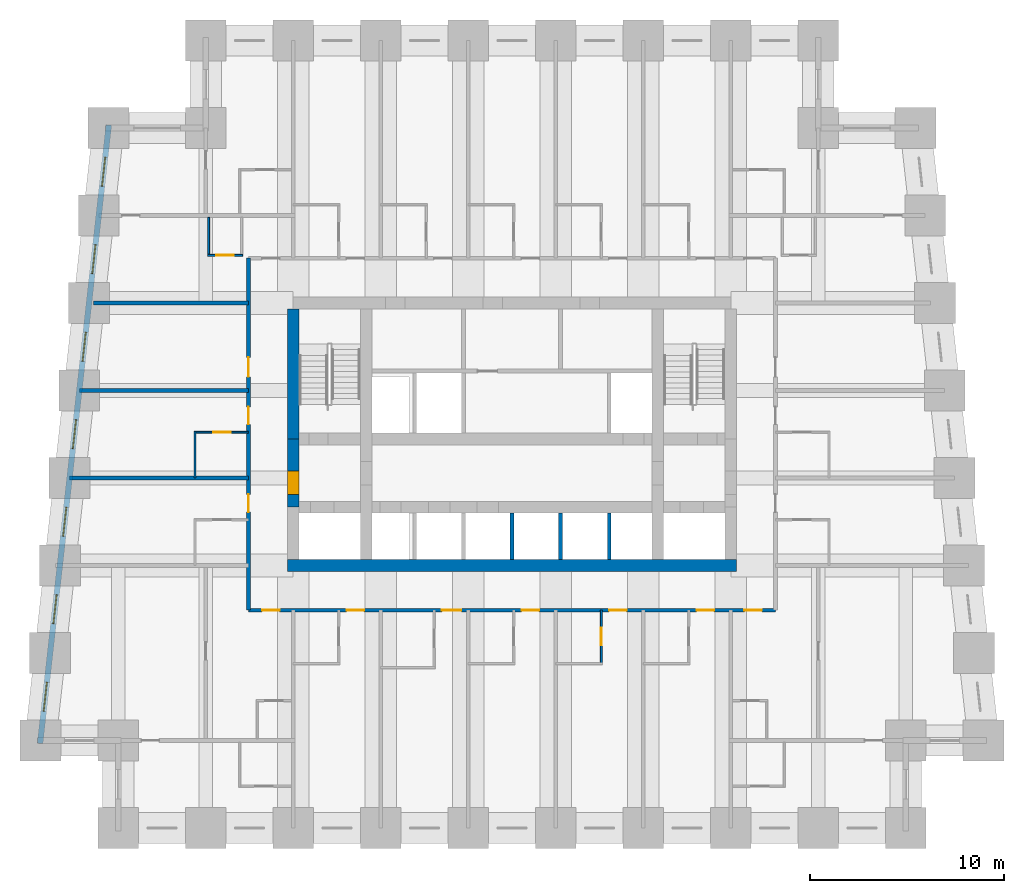
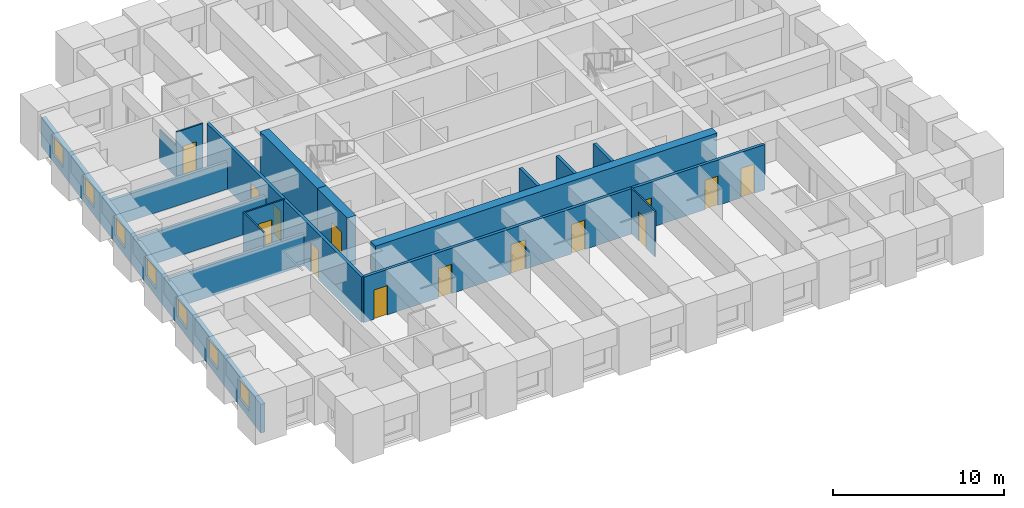
# One storey, part 3 of 8: 17 walls, 14 doors, 7 windows, 21 openings.
"""IFC4 building model written with IfcOpenShell, lengths in metres."""

from ifc_helpers import new_model, si_unit, direction, frame, frame_2d, origin, place, context, subcontext, project, spatial, rectangle, extrude, material, layer, layer_set, type_object, element, fill, save


model = new_model("IFC4")

# Units and contexts
model_context = context("Model", 3, precision=1e-05, world=origin(), true_north=direction((0.0, 1.0)))
body_context = subcontext(model_context, "Body", "Model", "MODEL_VIEW")
ifc_project = project(units=[si_unit("LENGTHUNIT", "METRE"), si_unit("AREAUNIT", "SQUARE_METRE"), si_unit("VOLUMEUNIT", "CUBIC_METRE"), si_unit("PLANEANGLEUNIT", "RADIAN"), si_unit("MASSUNIT", "GRAM", prefix="KILO")], contexts=[model_context])

# Site, building, storey
site_placement = place(None, origin())
site = spatial("IfcSite", under=ifc_project, at=site_placement, CompositionType="ELEMENT")
building_placement = place(site_placement, origin())
building = spatial("IfcBuilding", under=site, at=building_placement, Name="Kilele Tower Hotel", CompositionType="ELEMENT")
storey_placement = place(building_placement, frame((0.0, 0.0, 33.199951171875)))
storey = spatial("IfcBuildingStorey", under=building, at=storey_placement, Name="L06", CompositionType="ELEMENT", Elevation=33.199951171875)

# Wall, opening, door
ifc_material_1 = material(Name="Moisture-resistant board")
ifc_layer_1 = layer(ifc_material_1, 0.10009765625)
ifc_layer_set_1 = layer_set([ifc_layer_1], Name="Moisture-resistant board")
wall_type_1 = type_object("IfcWallType", Name="Bathroom partition 100", PredefinedType="PLUMBINGWALL", material=ifc_layer_set_1)
wall_1_placement = place(storey_placement, frame((29.35009765625, 11.199951171875, 0.0), z_axis=(0.0, 0.0, 1.0), x_axis=(0.0, -1.0, 0.0)))
wall_1 = element("IfcWall", 1, at=wall_1_placement, inside=storey, type_object=wall_type_1, Name="Bathroom partition 100 L06", PredefinedType="PLUMBINGWALL", context=body_context, shape_type="SweptSolid", body=[
    extrude(rectangle(XDim=2.800048828125, YDim=0.10009765625, at=frame_2d((1.39990234375, 0.0))), origin(), (0.0, 0.0, 1.0), 3.25),
])
opening_1_placement = place(wall_1_placement, frame((0.89990234375, 0.0, 0.0)))
opening_1 = element("IfcOpeningElement", 2, at=opening_1_placement, cuts=wall_1, Name="Opening D2A", PredefinedType="OPENING", context=body_context, shape_type="SweptSolid", body=[
    extrude(rectangle(XDim=0.89990234375, YDim=2.10009765625, at=frame_2d((0.449951171875, 1.050048828125))), frame((0.0, 0.06005859375, 0.0), z_axis=(0.0, -1.0, 0.0), x_axis=(1.0, 0.0, 0.0)), (0.0, 0.0, 1.0), 0.1201171875),
])
ifc_material_2 = material(Name="Timber door leaf in hardwood frame", Category="wood")
door_type_1 = type_object("IfcDoorType", Name="Bathroom door 900", OperationType="SINGLE_SWING_LEFT", PredefinedType="DOOR", material=ifc_material_2)
door_1_placement = place(opening_1_placement, origin())
door_1 = element("IfcDoor", 3, at=door_1_placement, inside=storey, type_object=door_type_1, Name="Bathroom door 0604B", OperationType="SINGLE_SWING_LEFT", OverallHeight=2.10009765625, OverallWidth=0.89990234375, PredefinedType="DOOR", context=body_context, shape_type="SweptSolid", body=[
    extrude(rectangle(XDim=0.89990234375, YDim=2.10009765625, at=frame_2d((0.449951171875, 1.050048828125))), frame((0.0, 0.02490234375, 0.0), z_axis=(0.0, -1.0, 0.0), x_axis=(1.0, 0.0, 0.0)), (0.0, 0.0, 1.0), 0.050048828125),
])
fill(opening_1, door_1)

# Wall
wall_2_placement = place(storey_placement, frame((8.449951171875, 18.0, 0.0), z_axis=(0.0, 0.0, 1.0), x_axis=(0.0, 1.0, 0.0)))
element("IfcWall", 4, at=wall_2_placement, inside=storey, type_object=wall_type_1, Name="Bathroom partition 100 L06", PredefinedType="PLUMBINGWALL", context=body_context, shape_type="SweptSolid", body=[
    extrude(rectangle(XDim=2.39990234375, YDim=0.10009765625, at=frame_2d((1.199951171875, 0.0))), origin(), (0.0, 0.0, 1.0), 3.25),
])

# Wall, opening, door
wall_3_placement = place(storey_placement, frame((11.199951171875, 20.35009765625, 0.0), z_axis=(0.0, 0.0, 1.0), x_axis=(-1.0, 0.0, 0.0)))
wall_3 = element("IfcWall", 5, at=wall_3_placement, inside=storey, type_object=wall_type_1, Name="Bathroom partition 100 L06", PredefinedType="PLUMBINGWALL", context=body_context, shape_type="SweptSolid", body=[
    extrude(rectangle(XDim=2.800048828125, YDim=0.10009765625, at=frame_2d((1.39990234375, 0.0))), origin(), (0.0, 0.0, 1.0), 3.25),
])
opening_2_placement = place(wall_3_placement, frame((1.7998046875, 0.0, 0.0), z_axis=(0.0, 0.0, 1.0), x_axis=(-1.0, 0.0, 0.0)))
opening_2 = element("IfcOpeningElement", 6, at=opening_2_placement, cuts=wall_3, Name="Opening D2A", PredefinedType="OPENING", context=body_context, shape_type="SweptSolid", body=[
    extrude(rectangle(XDim=0.89990234375, YDim=2.10009765625, at=frame_2d((0.449951171875, 1.050048828125))), frame((0.0, 0.06005859375, 0.0), z_axis=(0.0, -1.0, 0.0), x_axis=(1.0, 0.0, 0.0)), (0.0, 0.0, 1.0), 0.1201171875),
])
door_2_placement = place(opening_2_placement, origin())
door_2 = element("IfcDoor", 7, at=door_2_placement, inside=storey, type_object=door_type_1, Name="Bathroom door 0615B", OperationType="SINGLE_SWING_RIGHT", OverallHeight=2.10009765625, OverallWidth=0.89990234375, PredefinedType="DOOR", context=body_context, shape_type="SweptSolid", body=[
    extrude(rectangle(XDim=0.89990234375, YDim=2.10009765625, at=frame_2d((0.449951171875, 1.050048828125))), frame((0.0, 0.02490234375, 0.0), z_axis=(0.0, -1.0, 0.0), x_axis=(1.0, 0.0, 0.0)), (0.0, 0.0, 1.0), 0.050048828125),
])
fill(opening_2, door_2)

# Wall
wall_4_placement = place(storey_placement, frame((9.14990234375, 31.39990234375, 0.0), z_axis=(0.0, 0.0, 1.0), x_axis=(0.0, -1.0, 0.0)))
element("IfcWall", 8, at=wall_4_placement, inside=storey, type_object=wall_type_1, Name="Bathroom partition 100 L06", PredefinedType="PLUMBINGWALL", context=body_context, shape_type="SweptSolid", body=[
    extrude(rectangle(XDim=2.0, YDim=0.10009765625, at=frame_2d((1.0, 0.0))), origin(), (0.0, 0.0, 1.0), 2.25),
])

# Wall, opening, door
wall_5_placement = place(storey_placement, frame((10.89990234375, 29.449951171875, 0.0), z_axis=(0.0, 0.0, 1.0), x_axis=(-1.0, 0.0, 0.0)))
wall_5 = element("IfcWall", 9, at=wall_5_placement, inside=storey, type_object=wall_type_1, Name="Bathroom partition 100 L06", PredefinedType="PLUMBINGWALL", context=body_context, shape_type="SweptSolid", body=[
    extrude(rectangle(XDim=1.7998046875, YDim=0.10009765625, at=frame_2d((0.89990234375, 0.0))), origin(), (0.0, 0.0, 1.0), 3.25),
])
opening_3_placement = place(wall_5_placement, frame((0.449951171875, 0.0, 0.0)))
opening_3 = element("IfcOpeningElement", 10, at=opening_3_placement, cuts=wall_5, Name="Opening D2A", PredefinedType="OPENING", context=body_context, shape_type="SweptSolid", body=[
    extrude(rectangle(XDim=0.89990234375, YDim=2.10009765625, at=frame_2d((0.449951171875, 1.050048828125))), frame((0.0, 0.06005859375, 0.0), z_axis=(0.0, -1.0, 0.0), x_axis=(1.0, 0.0, 0.0)), (0.0, 0.0, 1.0), 0.1201171875),
])
door_3_placement = place(opening_3_placement, origin())
door_3 = element("IfcDoor", 11, at=door_3_placement, inside=storey, type_object=door_type_1, Name="Bathroom door 0626P", OperationType="SINGLE_SWING_LEFT", OverallHeight=2.10009765625, OverallWidth=0.89990234375, PredefinedType="DOOR", context=body_context, shape_type="SweptSolid", body=[
    extrude(rectangle(XDim=0.89990234375, YDim=2.10009765625, at=frame_2d((0.449951171875, 1.050048828125))), frame((0.0, 0.02490234375, 0.0), z_axis=(0.0, -1.0, 0.0), x_axis=(1.0, 0.0, 0.0)), (0.0, 0.0, 1.0), 0.050048828125),
])
fill(opening_3, door_3)

# Walls
ifc_material_3 = material(Name="Concrete C60/75", Category="concrete")
ifc_layer_2 = layer(ifc_material_3, 0.60009765625)
ifc_layer_set_2 = layer_set([ifc_layer_2], Name="Concrete C60/75")
wall_type_2 = type_object("IfcWallType", Name="Core wall 600 C60/75", PredefinedType="SHEAR", material=ifc_layer_set_2)
wall_6_placement = place(storey_placement, frame((13.199951171875, 13.5, 0.0), z_axis=(0.0, 0.0, 1.0), x_axis=(1.0, 0.0, 0.0)))
element("IfcWall", 12, at=wall_6_placement, inside=storey, type_object=wall_type_2, Name="Core wall S L06", PredefinedType="SHEAR", context=body_context, shape_type="SweptSolid", body=[
    extrude(rectangle(XDim=23.10009765625, YDim=0.60009765625, at=frame_2d((11.550048828125, 0.0))), origin(), (0.0, 0.0, 1.0), 3.5),
])
wall_7_placement = place(storey_placement, frame((13.5, 26.699951171875, 0.0), z_axis=(0.0, 0.0, 1.0), x_axis=(0.0, -1.0, 0.0)))
element("IfcWall", 13, at=wall_7_placement, inside=storey, type_object=wall_type_2, Name="Core wall W1 L06", PredefinedType="SHEAR", context=body_context, shape_type="SweptSolid", body=[
    extrude(rectangle(XDim=6.699951171875, YDim=0.60009765625, at=frame_2d((3.35009765625, 0.0))), origin(), (0.0, 0.0, 1.0), 3.5),
])

# Wall, opening, door
wall_8_placement = place(storey_placement, frame((13.5, 20.0, 0.0), z_axis=(0.0, 0.0, 1.0), x_axis=(0.0, -1.0, 0.0)))
wall_8 = element("IfcWall", 14, at=wall_8_placement, inside=storey, type_object=wall_type_2, Name="Core wall W2 L06", PredefinedType="SHEAR", context=body_context, shape_type="SweptSolid", body=[
    extrude(rectangle(XDim=3.5, YDim=0.60009765625, at=frame_2d((1.75, 0.0))), origin(), (0.0, 0.0, 1.0), 3.5),
])
opening_4_placement = place(wall_8_placement, frame((1.64990234375, 0.0, 0.0)))
opening_4 = element("IfcOpeningElement", 15, at=opening_4_placement, cuts=wall_8, Name="Opening D4", PredefinedType="OPENING", context=body_context, shape_type="SweptSolid", body=[
    extrude(rectangle(XDim=1.199951171875, YDim=2.10009765625, at=frame_2d((0.60009765625, 1.050048828125))), frame((0.0, 0.31005859375, 0.0), z_axis=(0.0, -1.0, 0.0), x_axis=(1.0, 0.0, 0.0)), (0.0, 0.0, 1.0), 0.6201171875),
])
ifc_material_4 = material(Name="Timber door leaf in hardwood frame", Category="wood")
door_type_2 = type_object("IfcDoorType", Name="Firefighting lobby door 1200", OperationType="SINGLE_SWING_LEFT", PredefinedType="DOOR", material=ifc_material_4)
door_4_placement = place(opening_4_placement, origin())
door_4 = element("IfcDoor", 16, at=door_4_placement, inside=storey, type_object=door_type_2, Name="Lobby door L06", OperationType="SINGLE_SWING_RIGHT", OverallHeight=2.10009765625, OverallWidth=1.199951171875, PredefinedType="DOOR", context=body_context, shape_type="SweptSolid", body=[
    extrude(rectangle(XDim=1.199951171875, YDim=2.10009765625, at=frame_2d((0.60009765625, 1.050048828125))), frame((0.0, 0.2998046875, 0.0), z_axis=(0.0, -1.0, 0.0), x_axis=(1.0, 0.0, 0.0)), (0.0, 0.0, 1.0), 0.599609375),
])
fill(opening_4, door_4)

# Wall, openings, doors
ifc_material_5 = material(Name="Blockwork, plastered both sides", Category="masonry")
ifc_layer_3 = layer(ifc_material_5, 0.199951171875)
ifc_layer_set_3 = layer_set([ifc_layer_3], Name="Blockwork, plastered both sides")
wall_type_3 = type_object("IfcWallType", Name="Corridor wall 200", PredefinedType="PARTITIONING", material=ifc_layer_set_3)
wall_9_placement = place(storey_placement, frame((11.199951171875, 11.199951171875, 0.0), z_axis=(0.0, 0.0, 1.0), x_axis=(1.0, 0.0, 0.0)))
wall_9 = element("IfcWall", 17, at=wall_9_placement, inside=storey, type_object=wall_type_3, Name="Corridor wall 200 L06", PredefinedType="PARTITIONING", context=body_context, shape_type="SweptSolid", body=[
    extrude(rectangle(XDim=27.10009765625, YDim=0.199951171875, at=frame_2d((13.550048828125, 0.0))), origin(), (0.0, 0.0, 1.0), 3.25),
])
opening_5_placement = place(wall_9_placement, frame((5.949951171875, 0.0, 0.0), z_axis=(0.0, 0.0, 1.0), x_axis=(-1.0, 0.0, 0.0)))
opening_5 = element("IfcOpeningElement", 18, at=opening_5_placement, cuts=wall_9, Name="Opening D1", PredefinedType="OPENING", context=body_context, shape_type="SweptSolid", body=[
    extrude(rectangle(XDim=0.89990234375, YDim=2.10009765625, at=frame_2d((0.449951171875, 1.050048828125))), frame((0.0, 0.10986328125, 0.0), z_axis=(0.0, -1.0, 0.0), x_axis=(1.0, 0.0, 0.0)), (0.0, 0.0, 1.0), 0.219970703125),
])
opening_6_placement = place(wall_9_placement, frame((10.949951171875, 0.0, 0.0), z_axis=(0.0, 0.0, 1.0), x_axis=(-1.0, 0.0, 0.0)))
opening_6 = element("IfcOpeningElement", 19, at=opening_6_placement, cuts=wall_9, Name="Opening D1A", PredefinedType="OPENING", context=body_context, shape_type="SweptSolid", body=[
    extrude(rectangle(XDim=1.0, YDim=2.10009765625, at=frame_2d((0.5, 1.050048828125))), frame((0.0, 0.10986328125, 0.0), z_axis=(0.0, -1.0, 0.0), x_axis=(1.0, 0.0, 0.0)), (0.0, 0.0, 1.0), 0.219970703125),
])
opening_7_placement = place(wall_9_placement, frame((14.949951171875, 0.0, 0.0), z_axis=(0.0, 0.0, 1.0), x_axis=(-1.0, 0.0, 0.0)))
opening_7 = element("IfcOpeningElement", 20, at=opening_7_placement, cuts=wall_9, Name="Opening D1", PredefinedType="OPENING", context=body_context, shape_type="SweptSolid", body=[
    extrude(rectangle(XDim=0.89990234375, YDim=2.10009765625, at=frame_2d((0.449951171875, 1.050048828125))), frame((0.0, 0.10986328125, 0.0), z_axis=(0.0, -1.0, 0.0), x_axis=(1.0, 0.0, 0.0)), (0.0, 0.0, 1.0), 0.219970703125),
])
opening_8_placement = place(wall_9_placement, frame((19.449951171875, 0.0, 0.0), z_axis=(0.0, 0.0, 1.0), x_axis=(-1.0, 0.0, 0.0)))
opening_8 = element("IfcOpeningElement", 21, at=opening_8_placement, cuts=wall_9, Name="Opening D1", PredefinedType="OPENING", context=body_context, shape_type="SweptSolid", body=[
    extrude(rectangle(XDim=0.89990234375, YDim=2.10009765625, at=frame_2d((0.449951171875, 1.050048828125))), frame((0.0, 0.10986328125, 0.0), z_axis=(0.0, -1.0, 0.0), x_axis=(1.0, 0.0, 0.0)), (0.0, 0.0, 1.0), 0.219970703125),
])
opening_9_placement = place(wall_9_placement, frame((23.949951171875, 0.0, 0.0), z_axis=(0.0, 0.0, 1.0), x_axis=(-1.0, 0.0, 0.0)))
opening_9 = element("IfcOpeningElement", 22, at=opening_9_placement, cuts=wall_9, Name="Opening D1", PredefinedType="OPENING", context=body_context, shape_type="SweptSolid", body=[
    extrude(rectangle(XDim=0.89990234375, YDim=2.10009765625, at=frame_2d((0.449951171875, 1.050048828125))), frame((0.0, 0.10986328125, 0.0), z_axis=(0.0, -1.0, 0.0), x_axis=(1.0, 0.0, 0.0)), (0.0, 0.0, 1.0), 0.219970703125),
])
opening_10_placement = place(wall_9_placement, frame((1.599853515625, 0.0, 0.0), z_axis=(0.0, 0.0, 1.0), x_axis=(-1.0, 0.0, 0.0)))
opening_10 = element("IfcOpeningElement", 23, at=opening_10_placement, cuts=wall_9, Name="Opening D1", PredefinedType="OPENING", context=body_context, shape_type="SweptSolid", body=[
    extrude(rectangle(XDim=0.89990234375, YDim=2.10009765625, at=frame_2d((0.449951171875, 1.050048828125))), frame((0.0, 0.10986328125, 0.0), z_axis=(0.0, -1.0, 0.0), x_axis=(1.0, 0.0, 0.0)), (0.0, 0.0, 1.0), 0.219970703125),
])
opening_11_placement = place(wall_9_placement, frame((26.39990234375, 0.0, 0.0), z_axis=(0.0, 0.0, 1.0), x_axis=(-1.0, 0.0, 0.0)))
opening_11 = element("IfcOpeningElement", 24, at=opening_11_placement, cuts=wall_9, Name="Opening D1", PredefinedType="OPENING", context=body_context, shape_type="SweptSolid", body=[
    extrude(rectangle(XDim=0.89990234375, YDim=2.10009765625, at=frame_2d((0.449951171875, 1.050048828125))), frame((0.0, 0.10986328125, 0.0), z_axis=(0.0, -1.0, 0.0), x_axis=(1.0, 0.0, 0.0)), (0.0, 0.0, 1.0), 0.219970703125),
])
ifc_material_6 = material(Name="Timber door leaf in hardwood frame", Category="wood")
door_type_3 = type_object("IfcDoorType", Name="Guest room entrance door 1000", OperationType="SINGLE_SWING_LEFT", PredefinedType="DOOR", material=ifc_material_6)
door_5_placement = place(opening_6_placement, origin())
door_5 = element("IfcDoor", 25, at=door_5_placement, inside=storey, type_object=door_type_3, Name="Room entrance 0602", OperationType="SINGLE_SWING_RIGHT", OverallHeight=2.10009765625, OverallWidth=1.0, PredefinedType="DOOR", context=body_context, shape_type="SweptSolid", body=[
    extrude(rectangle(XDim=1.0, YDim=2.10009765625, at=frame_2d((0.5, 1.050048828125))), frame((0.0, 0.02490234375, 0.0), z_axis=(0.0, -1.0, 0.0), x_axis=(1.0, 0.0, 0.0)), (0.0, 0.0, 1.0), 0.050048828125),
])
fill(opening_6, door_5)
ifc_material_7 = material(Name="Timber door leaf in hardwood frame", Category="wood")
door_type_4 = type_object("IfcDoorType", Name="Guest room entrance door 900", OperationType="SINGLE_SWING_LEFT", PredefinedType="DOOR", material=ifc_material_7)
door_6_placement = place(opening_5_placement, origin())
door_6 = element("IfcDoor", 26, at=door_6_placement, inside=storey, type_object=door_type_4, Name="Room entrance 0601", OperationType="SINGLE_SWING_RIGHT", OverallHeight=2.10009765625, OverallWidth=0.89990234375, PredefinedType="DOOR", context=body_context, shape_type="SweptSolid", body=[
    extrude(rectangle(XDim=0.89990234375, YDim=2.10009765625, at=frame_2d((0.449951171875, 1.050048828125))), frame((0.0, 0.02490234375, 0.0), z_axis=(0.0, -1.0, 0.0), x_axis=(1.0, 0.0, 0.0)), (0.0, 0.0, 1.0), 0.050048828125),
])
fill(opening_5, door_6)
door_7_placement = place(opening_7_placement, origin())
door_7 = element("IfcDoor", 27, at=door_7_placement, inside=storey, type_object=door_type_4, Name="Room entrance 0603", OperationType="SINGLE_SWING_RIGHT", OverallHeight=2.10009765625, OverallWidth=0.89990234375, PredefinedType="DOOR", context=body_context, shape_type="SweptSolid", body=[
    extrude(rectangle(XDim=0.89990234375, YDim=2.10009765625, at=frame_2d((0.449951171875, 1.050048828125))), frame((0.0, 0.02490234375, 0.0), z_axis=(0.0, -1.0, 0.0), x_axis=(1.0, 0.0, 0.0)), (0.0, 0.0, 1.0), 0.050048828125),
])
fill(opening_7, door_7)
door_8_placement = place(opening_8_placement, origin())
door_8 = element("IfcDoor", 28, at=door_8_placement, inside=storey, type_object=door_type_4, Name="Room entrance 0604", OperationType="SINGLE_SWING_RIGHT", OverallHeight=2.10009765625, OverallWidth=0.89990234375, PredefinedType="DOOR", context=body_context, shape_type="SweptSolid", body=[
    extrude(rectangle(XDim=0.89990234375, YDim=2.10009765625, at=frame_2d((0.449951171875, 1.050048828125))), frame((0.0, 0.02490234375, 0.0), z_axis=(0.0, -1.0, 0.0), x_axis=(1.0, 0.0, 0.0)), (0.0, 0.0, 1.0), 0.050048828125),
])
fill(opening_8, door_8)
door_9_placement = place(opening_9_placement, origin())
door_9 = element("IfcDoor", 29, at=door_9_placement, inside=storey, type_object=door_type_4, Name="Room entrance 0605", OperationType="SINGLE_SWING_RIGHT", OverallHeight=2.10009765625, OverallWidth=0.89990234375, PredefinedType="DOOR", context=body_context, shape_type="SweptSolid", body=[
    extrude(rectangle(XDim=0.89990234375, YDim=2.10009765625, at=frame_2d((0.449951171875, 1.050048828125))), frame((0.0, 0.02490234375, 0.0), z_axis=(0.0, -1.0, 0.0), x_axis=(1.0, 0.0, 0.0)), (0.0, 0.0, 1.0), 0.050048828125),
])
fill(opening_9, door_9)
door_10_placement = place(opening_10_placement, origin())
door_10 = element("IfcDoor", 30, at=door_10_placement, inside=storey, type_object=door_type_4, Name="Room entrance 0617", OperationType="SINGLE_SWING_LEFT", OverallHeight=2.10009765625, OverallWidth=0.89990234375, PredefinedType="DOOR", context=body_context, shape_type="SweptSolid", body=[
    extrude(rectangle(XDim=0.89990234375, YDim=2.10009765625, at=frame_2d((0.449951171875, 1.050048828125))), frame((0.0, 0.02490234375, 0.0), z_axis=(0.0, -1.0, 0.0), x_axis=(1.0, 0.0, 0.0)), (0.0, 0.0, 1.0), 0.050048828125),
])
fill(opening_10, door_10)
door_11_placement = place(opening_11_placement, origin())
door_11 = element("IfcDoor", 31, at=door_11_placement, inside=storey, type_object=door_type_4, Name="Room entrance 0620", OperationType="SINGLE_SWING_RIGHT", OverallHeight=2.10009765625, OverallWidth=0.89990234375, PredefinedType="DOOR", context=body_context, shape_type="SweptSolid", body=[
    extrude(rectangle(XDim=0.89990234375, YDim=2.10009765625, at=frame_2d((0.449951171875, 1.050048828125))), frame((0.0, 0.02490234375, 0.0), z_axis=(0.0, -1.0, 0.0), x_axis=(1.0, 0.0, 0.0)), (0.0, 0.0, 1.0), 0.050048828125),
])
fill(opening_11, door_11)

wall_10_placement = place(storey_placement, frame((11.199951171875, 11.199951171875, 0.0), z_axis=(0.0, 0.0, 1.0), x_axis=(0.0, 1.0, 0.0)))
wall_10 = element("IfcWall", 32, at=wall_10_placement, inside=storey, type_object=wall_type_3, Name="Corridor wall 200 L06", PredefinedType="PARTITIONING", context=body_context, shape_type="SweptSolid", body=[
    extrude(rectangle(XDim=18.10009765625, YDim=0.199951171875, at=frame_2d((9.050048828125, 0.0))), origin(), (0.0, 0.0, 1.0), 3.25),
])
opening_12_placement = place(wall_10_placement, frame((5.050048828125, 0.0, 0.0)))
opening_12 = element("IfcOpeningElement", 33, at=opening_12_placement, cuts=wall_10, Name="Opening D1", PredefinedType="OPENING", context=body_context, shape_type="SweptSolid", body=[
    extrude(rectangle(XDim=0.89990234375, YDim=2.10009765625, at=frame_2d((0.449951171875, 1.050048828125))), frame((0.0, 0.10986328125, 0.0), z_axis=(0.0, -1.0, 0.0), x_axis=(1.0, 0.0, 0.0)), (0.0, 0.0, 1.0), 0.219970703125),
])
opening_13_placement = place(wall_10_placement, frame((9.550048828125, 0.0, 0.0)))
opening_13 = element("IfcOpeningElement", 34, at=opening_13_placement, cuts=wall_10, Name="Opening D1", PredefinedType="OPENING", context=body_context, shape_type="SweptSolid", body=[
    extrude(rectangle(XDim=0.89990234375, YDim=2.10009765625, at=frame_2d((0.449951171875, 1.050048828125))), frame((0.0, 0.10986328125, 0.0), z_axis=(0.0, -1.0, 0.0), x_axis=(1.0, 0.0, 0.0)), (0.0, 0.0, 1.0), 0.219970703125),
])
opening_14_placement = place(wall_10_placement, frame((12.0, 0.0, 0.0)))
opening_14 = element("IfcOpeningElement", 35, at=opening_14_placement, cuts=wall_10, Name="Opening D8", PredefinedType="OPENING", context=body_context, shape_type="SweptSolid", body=[
    extrude(rectangle(XDim=1.0, YDim=2.10009765625, at=frame_2d((0.5, 1.050048828125))), frame((0.0, 0.10986328125, 0.0), z_axis=(0.0, -1.0, 0.0), x_axis=(1.0, 0.0, 0.0)), (0.0, 0.0, 1.0), 0.219970703125),
])
ifc_material_8 = material(Name="Timber door leaf in hardwood frame", Category="wood")
door_type_5 = type_object("IfcDoorType", Name="Door 1000", OperationType="SINGLE_SWING_LEFT", PredefinedType="DOOR", material=ifc_material_8)
door_12_placement = place(opening_14_placement, origin())
door_12 = element("IfcDoor", 36, at=door_12_placement, inside=storey, type_object=door_type_5, Name="Room entrance 0616", OperationType="SINGLE_SWING_LEFT", OverallHeight=2.10009765625, OverallWidth=1.0, PredefinedType="DOOR", context=body_context, shape_type="SweptSolid", body=[
    extrude(rectangle(XDim=1.0, YDim=2.10009765625, at=frame_2d((0.5, 1.050048828125))), frame((0.0, 0.02490234375, 0.0), z_axis=(0.0, -1.0, 0.0), x_axis=(1.0, 0.0, 0.0)), (0.0, 0.0, 1.0), 0.050048828125),
])
fill(opening_14, door_12)
door_13_placement = place(opening_12_placement, origin())
door_13 = element("IfcDoor", 37, at=door_13_placement, inside=storey, type_object=door_type_4, Name="Room entrance 0614", OperationType="SINGLE_SWING_LEFT", OverallHeight=2.10009765625, OverallWidth=0.89990234375, PredefinedType="DOOR", context=body_context, shape_type="SweptSolid", body=[
    extrude(rectangle(XDim=0.89990234375, YDim=2.10009765625, at=frame_2d((0.449951171875, 1.050048828125))), frame((0.0, 0.02490234375, 0.0), z_axis=(0.0, -1.0, 0.0), x_axis=(1.0, 0.0, 0.0)), (0.0, 0.0, 1.0), 0.050048828125),
])
fill(opening_12, door_13)
door_14_placement = place(opening_13_placement, origin())
door_14 = element("IfcDoor", 38, at=door_14_placement, inside=storey, type_object=door_type_4, Name="Room entrance 0615", OperationType="SINGLE_SWING_LEFT", OverallHeight=2.10009765625, OverallWidth=0.89990234375, PredefinedType="DOOR", context=body_context, shape_type="SweptSolid", body=[
    extrude(rectangle(XDim=0.89990234375, YDim=2.10009765625, at=frame_2d((0.449951171875, 1.050048828125))), frame((0.0, 0.02490234375, 0.0), z_axis=(0.0, -1.0, 0.0), x_axis=(1.0, 0.0, 0.0)), (0.0, 0.0, 1.0), 0.050048828125),
])
fill(opening_13, door_14)

# Walls
ifc_material_9 = material(Name="Blockwork, plastered both sides", Category="masonry")
ifc_layer_4 = layer(ifc_material_9, 0.199951171875)
ifc_layer_set_4 = layer_set([ifc_layer_4], Name="Blockwork, plastered both sides")
wall_type_4 = type_object("IfcWallType", Name="Party wall 200", PredefinedType="PARTITIONING", material=ifc_layer_set_4)
wall_11_placement = place(storey_placement, frame((11.199951171875, 18.0, 0.0), z_axis=(0.0, 0.0, 1.0), x_axis=(-1.0, 0.0, 0.0)))
element("IfcWall", 39, at=wall_11_placement, inside=storey, type_object=wall_type_4, Name="Party wall 200 L06", PredefinedType="PARTITIONING", context=body_context, shape_type="SweptSolid", body=[
    extrude(rectangle(XDim=9.198974609375, YDim=0.199951171875, at=frame_2d((4.599609375, 0.0))), origin(), (0.0, 0.0, 1.0), 2.25),
])
wall_12_placement = place(storey_placement, frame((11.199951171875, 22.5, 0.0), z_axis=(0.0, 0.0, 1.0), x_axis=(-1.0, 0.0, 0.0)))
element("IfcWall", 40, at=wall_12_placement, inside=storey, type_object=wall_type_4, Name="Party wall 200 L06", PredefinedType="PARTITIONING", context=body_context, shape_type="SweptSolid", body=[
    extrude(rectangle(XDim=8.698974609375, YDim=0.199951171875, at=frame_2d((4.349609375, 0.0))), origin(), (0.0, 0.0, 1.0), 2.25),
])
wall_13_placement = place(storey_placement, frame((11.199951171875, 27.0, 0.0), z_axis=(0.0, 0.0, 1.0), x_axis=(-1.0, 0.0, 0.0)))
element("IfcWall", 41, at=wall_13_placement, inside=storey, type_object=wall_type_4, Name="Party wall 200 L06", PredefinedType="PARTITIONING", context=body_context, shape_type="SweptSolid", body=[
    extrude(rectangle(XDim=7.976806640625, YDim=0.199951171875, at=frame_2d((3.98828125, 0.0))), origin(), (0.0, 0.0, 1.0), 1.949951171875),
])

# Wall, openings, windows
ifc_material_10 = material(Name="Concrete C40/50 precast", Category="concrete")
ifc_layer_5 = layer(ifc_material_10, 0.260009765625, Name="Precast backing", Category="LoadBearing")
ifc_material_11 = material(Name="Reconstituted stone finish", Category="masonry")
ifc_layer_6 = layer(ifc_material_11, 0.0400390625, Name="Face mix", Category="Finish")
ifc_layer_set_5 = layer_set([ifc_layer_5, ifc_layer_6], Name="Precast concrete C40/50, reconstituted stone finish")
wall_type_5 = type_object("IfcWallType", Name="Precast stone facade wall 300", PredefinedType="STANDARD", material=ifc_layer_set_5)
wall_14_placement = place(storey_placement, frame((4.0166015625, 36.149169921875, 0.0), z_axis=(0.0, 0.0, 1.0), x_axis=(-0.110433201132, -0.993883548555, 0.0)))
wall_14 = element("IfcWall", 42, at=wall_14_placement, inside=storey, type_object=wall_type_5, Name="Facade wall L06 edge 12", PredefinedType="STANDARD", context=body_context, shape_type="SweptSolid", body=[
    extrude(rectangle(XDim=31.994140625, YDim=0.300048828125, at=frame_2d((15.9970703125, 0.0))), origin(), (0.0, 0.0, 1.0), 2.050048828125),
])
opening_15_placement = place(wall_14_placement, frame((1.6640625, 0.0, 0.5)))
opening_15 = element("IfcOpeningElement", 43, at=opening_15_placement, cuts=wall_14, Name="Opening W1", PredefinedType="OPENING", context=body_context, shape_type="SweptSolid", body=[
    extrude(rectangle(XDim=1.5, YDim=1.39990234375, at=frame_2d((0.75, 0.699951171875))), frame((0.0, 0.159912109375, 0.0), z_axis=(0.0, -1.0, 0.0), x_axis=(1.0, 0.0, 0.0)), (0.0, 0.0, 1.0), 0.320068359375),
])
opening_16_placement = place(wall_14_placement, frame((6.19189453125, 0.0, 0.5)))
opening_16 = element("IfcOpeningElement", 44, at=opening_16_placement, cuts=wall_14, Name="Opening W1", PredefinedType="OPENING", context=body_context, shape_type="SweptSolid", body=[
    extrude(rectangle(XDim=1.5, YDim=1.39990234375, at=frame_2d((0.75, 0.699951171875))), frame((0.0, 0.159912109375, 0.0), z_axis=(0.0, -1.0, 0.0), x_axis=(1.0, 0.0, 0.0)), (0.0, 0.0, 1.0), 0.320068359375),
])
opening_17_placement = place(wall_14_placement, frame((10.718994140625, 0.0, 0.5)))
opening_17 = element("IfcOpeningElement", 45, at=opening_17_placement, cuts=wall_14, Name="Opening W1", PredefinedType="OPENING", context=body_context, shape_type="SweptSolid", body=[
    extrude(rectangle(XDim=1.5, YDim=1.39990234375, at=frame_2d((0.75, 0.699951171875))), frame((0.0, 0.159912109375, 0.0), z_axis=(0.0, -1.0, 0.0), x_axis=(1.0, 0.0, 0.0)), (0.0, 0.0, 1.0), 0.320068359375),
])
opening_18_placement = place(wall_14_placement, frame((15.2470703125, 0.0, 0.5)))
opening_18 = element("IfcOpeningElement", 46, at=opening_18_placement, cuts=wall_14, Name="Opening W1", PredefinedType="OPENING", context=body_context, shape_type="SweptSolid", body=[
    extrude(rectangle(XDim=1.5, YDim=1.39990234375, at=frame_2d((0.75, 0.699951171875))), frame((0.0, 0.159912109375, 0.0), z_axis=(0.0, -1.0, 0.0), x_axis=(1.0, 0.0, 0.0)), (0.0, 0.0, 1.0), 0.320068359375),
])
opening_19_placement = place(wall_14_placement, frame((19.77490234375, 0.0, 0.5)))
opening_19 = element("IfcOpeningElement", 47, at=opening_19_placement, cuts=wall_14, Name="Opening W1", PredefinedType="OPENING", context=body_context, shape_type="SweptSolid", body=[
    extrude(rectangle(XDim=1.5, YDim=1.39990234375, at=frame_2d((0.75, 0.699951171875))), frame((0.0, 0.159912109375, 0.0), z_axis=(0.0, -1.0, 0.0), x_axis=(1.0, 0.0, 0.0)), (0.0, 0.0, 1.0), 0.320068359375),
])
opening_20_placement = place(wall_14_placement, frame((24.302001953125, 0.0, 0.5)))
opening_20 = element("IfcOpeningElement", 48, at=opening_20_placement, cuts=wall_14, Name="Opening W1", PredefinedType="OPENING", context=body_context, shape_type="SweptSolid", body=[
    extrude(rectangle(XDim=1.5, YDim=1.39990234375, at=frame_2d((0.75, 0.699951171875))), frame((0.0, 0.159912109375, 0.0), z_axis=(0.0, -1.0, 0.0), x_axis=(1.0, 0.0, 0.0)), (0.0, 0.0, 1.0), 0.320068359375),
])
opening_21_placement = place(wall_14_placement, frame((28.830078125, 0.0, 0.5)))
opening_21 = element("IfcOpeningElement", 49, at=opening_21_placement, cuts=wall_14, Name="Opening W1", PredefinedType="OPENING", context=body_context, shape_type="SweptSolid", body=[
    extrude(rectangle(XDim=1.5, YDim=1.39990234375, at=frame_2d((0.75, 0.699951171875))), frame((0.0, 0.159912109375, 0.0), z_axis=(0.0, -1.0, 0.0), x_axis=(1.0, 0.0, 0.0)), (0.0, 0.0, 1.0), 0.320068359375),
])
ifc_material_12 = material(Name="Aluminium frame, clear double glazing", Category="aluminium")
window_type = type_object("IfcWindowType", Name="Window W1 1500 x 1400", PartitioningType="SINGLE_PANEL", PredefinedType="WINDOW", material=ifc_material_12)
window_1_placement = place(opening_15_placement, origin())
window_1 = element("IfcWindow", 50, at=window_1_placement, inside=storey, type_object=window_type, Name="Window L06", OverallHeight=1.39990234375, OverallWidth=1.5, PartitioningType="SINGLE_PANEL", PredefinedType="WINDOW", context=body_context, shape_type="SweptSolid", body=[
    extrude(rectangle(XDim=1.5, YDim=1.39990234375, at=frame_2d((0.75, 0.699951171875))), frame((0.0, 0.030029296875, 0.0), z_axis=(0.0, -1.0, 0.0), x_axis=(1.0, 0.0, 0.0)), (0.0, 0.0, 1.0), 0.06005859375),
])
fill(opening_15, window_1)
window_2_placement = place(opening_16_placement, origin())
window_2 = element("IfcWindow", 51, at=window_2_placement, inside=storey, type_object=window_type, Name="Window L06", OverallHeight=1.39990234375, OverallWidth=1.5, PartitioningType="SINGLE_PANEL", PredefinedType="WINDOW", context=body_context, shape_type="SweptSolid", body=[
    extrude(rectangle(XDim=1.5, YDim=1.39990234375, at=frame_2d((0.75, 0.699951171875))), frame((0.0, 0.030029296875, 0.0), z_axis=(0.0, -1.0, 0.0), x_axis=(1.0, 0.0, 0.0)), (0.0, 0.0, 1.0), 0.06005859375),
])
fill(opening_16, window_2)
window_3_placement = place(opening_17_placement, origin())
window_3 = element("IfcWindow", 52, at=window_3_placement, inside=storey, type_object=window_type, Name="Window L06", OverallHeight=1.39990234375, OverallWidth=1.5, PartitioningType="SINGLE_PANEL", PredefinedType="WINDOW", context=body_context, shape_type="SweptSolid", body=[
    extrude(rectangle(XDim=1.5, YDim=1.39990234375, at=frame_2d((0.75, 0.699951171875))), frame((0.0, 0.030029296875, 0.0), z_axis=(0.0, -1.0, 0.0), x_axis=(1.0, 0.0, 0.0)), (0.0, 0.0, 1.0), 0.06005859375),
])
fill(opening_17, window_3)
window_4_placement = place(opening_18_placement, origin())
window_4 = element("IfcWindow", 53, at=window_4_placement, inside=storey, type_object=window_type, Name="Window L06", OverallHeight=1.39990234375, OverallWidth=1.5, PartitioningType="SINGLE_PANEL", PredefinedType="WINDOW", context=body_context, shape_type="SweptSolid", body=[
    extrude(rectangle(XDim=1.5, YDim=1.39990234375, at=frame_2d((0.75, 0.699951171875))), frame((0.0, 0.030029296875, 0.0), z_axis=(0.0, -1.0, 0.0), x_axis=(1.0, 0.0, 0.0)), (0.0, 0.0, 1.0), 0.06005859375),
])
fill(opening_18, window_4)
window_5_placement = place(opening_19_placement, origin())
window_5 = element("IfcWindow", 54, at=window_5_placement, inside=storey, type_object=window_type, Name="Window L06", OverallHeight=1.39990234375, OverallWidth=1.5, PartitioningType="SINGLE_PANEL", PredefinedType="WINDOW", context=body_context, shape_type="SweptSolid", body=[
    extrude(rectangle(XDim=1.5, YDim=1.39990234375, at=frame_2d((0.75, 0.699951171875))), frame((0.0, 0.030029296875, 0.0), z_axis=(0.0, -1.0, 0.0), x_axis=(1.0, 0.0, 0.0)), (0.0, 0.0, 1.0), 0.06005859375),
])
fill(opening_19, window_5)
window_6_placement = place(opening_20_placement, origin())
window_6 = element("IfcWindow", 55, at=window_6_placement, inside=storey, type_object=window_type, Name="Window L06", OverallHeight=1.39990234375, OverallWidth=1.5, PartitioningType="SINGLE_PANEL", PredefinedType="WINDOW", context=body_context, shape_type="SweptSolid", body=[
    extrude(rectangle(XDim=1.5, YDim=1.39990234375, at=frame_2d((0.75, 0.699951171875))), frame((0.0, 0.030029296875, 0.0), z_axis=(0.0, -1.0, 0.0), x_axis=(1.0, 0.0, 0.0)), (0.0, 0.0, 1.0), 0.06005859375),
])
fill(opening_20, window_6)
window_7_placement = place(opening_21_placement, origin())
window_7 = element("IfcWindow", 56, at=window_7_placement, inside=storey, type_object=window_type, Name="Window L06", OverallHeight=1.39990234375, OverallWidth=1.5, PartitioningType="SINGLE_PANEL", PredefinedType="WINDOW", context=body_context, shape_type="SweptSolid", body=[
    extrude(rectangle(XDim=1.5, YDim=1.39990234375, at=frame_2d((0.75, 0.699951171875))), frame((0.0, 0.030029296875, 0.0), z_axis=(0.0, -1.0, 0.0), x_axis=(1.0, 0.0, 0.0)), (0.0, 0.0, 1.0), 0.06005859375),
])
fill(opening_21, window_7)

# Walls
ifc_material_13 = material(Name="Blockwork, fire-rated", Category="masonry")
ifc_layer_7 = layer(ifc_material_13, 0.199951171875)
ifc_layer_set_6 = layer_set([ifc_layer_7], Name="Blockwork, fire-rated")
wall_type_6 = type_object("IfcWallType", Name="Shaft wall 200", PredefinedType="PARTITIONING", material=ifc_layer_set_6)
for number, where, z_axis, x_axis, name in (
    (57, (24.75, 13.800048828125, 0.0), (0.0, 0.0, 1.0), (0.0, 1.0, 0.0), "Shaft wall 200 L06"),
    (58, (27.25, 13.800048828125, 0.0), (0.0, 0.0, 1.0), (0.0, 1.0, 0.0), "Shaft wall 200 L06"),
    (59, (29.75, 13.800048828125, 0.0), (0.0, 0.0, 1.0), (0.0, 1.0, 0.0), "Shaft wall 200 L06"),
):
    element("IfcWall", number, at=place(storey_placement, frame(where, z_axis=z_axis, x_axis=x_axis)), inside=storey, type_object=wall_type_6, Name=name, PredefinedType="PARTITIONING", context=body_context, shape_type="SweptSolid", body=[
        extrude(rectangle(XDim=2.39990234375, YDim=0.199951171875, at=frame_2d((1.199951171875, 0.0))), origin(), (0.0, 0.0, 1.0), 3.25),
    ])

save(model, "model.ifc")
